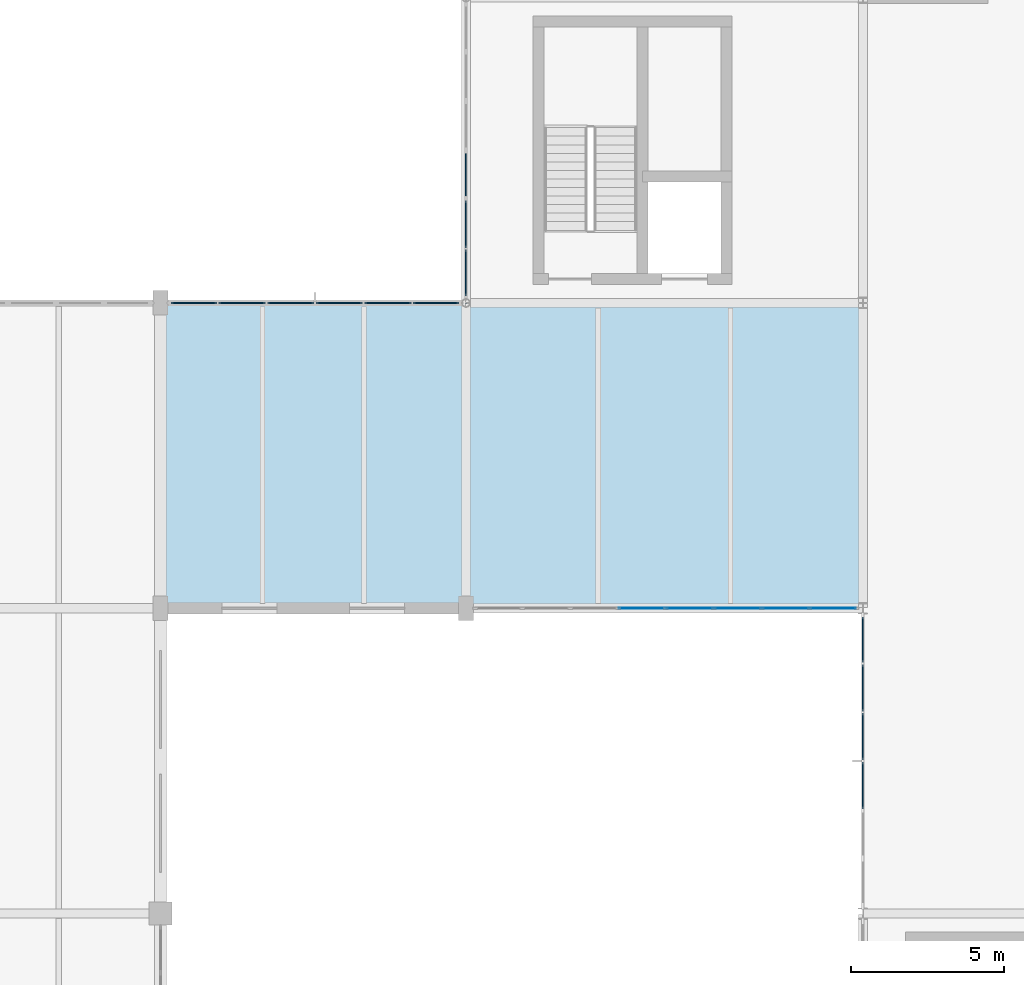
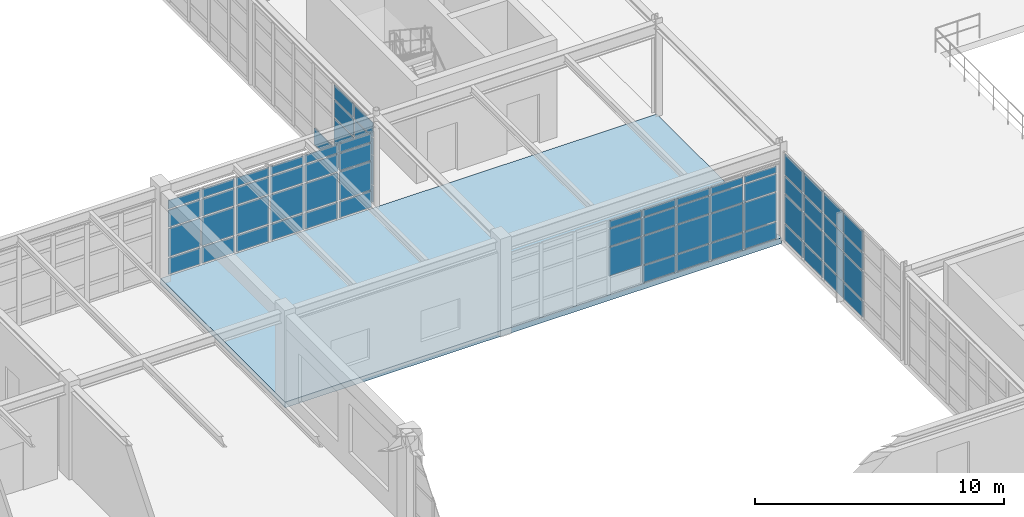
# One storey, part 90 of 139: 68 plates, 1 slab, 4 elements without a shape of their own.
"""IFC4 building model written with IfcOpenShell, lengths in metres."""

from ifc_helpers import new_model, si_unit, direction, frame, origin, origin_2d, place, context, subcontext, project, spatial, polyline, rectangle, outline, extrude, material, layer, layer_set, type_object, element, aggregate, save


model = new_model("IFC4")

# Units and contexts
model_context = context("Model", 3, precision=1e-05, world=origin(), true_north=direction((0.0, 1.0)))
body_context = subcontext(model_context, "Body", "Model", "MODEL_VIEW")
ifc_project = project(units=[si_unit("LENGTHUNIT", "METRE"), si_unit("AREAUNIT", "SQUARE_METRE"), si_unit("VOLUMEUNIT", "CUBIC_METRE"), si_unit("PLANEANGLEUNIT", "RADIAN"), si_unit("MASSUNIT", "GRAM", prefix="KILO"), si_unit("THERMODYNAMICTEMPERATUREUNIT", "KELVIN"), si_unit("POWERUNIT", "WATT")], contexts=[model_context])

# Site, building, storey
site_placement = place(None, origin())
site = spatial("IfcSite", under=ifc_project, at=site_placement, CompositionType="ELEMENT")
building_placement = place(site_placement, origin())
building = spatial("IfcBuilding", under=site, at=building_placement, Name="Korenveer Ferry Terminal", CompositionType="ELEMENT")
storey_placement = place(building_placement, frame((0.0, 0.0, 5.39990234375)))
storey = spatial("IfcBuildingStorey", under=building, at=storey_placement, Name="L01", CompositionType="ELEMENT", Elevation=5.39990234375)

# Curtain wall, plates
ifc_material_1 = material(Name="Unitised bronze-and-glass curtain wall", Category="glass")
ifc_layer_1 = layer(ifc_material_1, 0.159912109375)
ifc_layer_set_1 = layer_set([ifc_layer_1], Name="Unitised bronze-and-glass curtain wall")
curtain_wall_type_1 = type_object("IfcCurtainWallType", Name="ENV-CW-46", PredefinedType="USERDEFINED", material=ifc_layer_set_1)
curtain_wall_1_placement = place(storey_placement, frame((40.280029296875, 70.0, 0.0)))
curtain_wall_1 = element("IfcCurtainWall", 1, at=curtain_wall_1_placement, inside=storey, type_object=curtain_wall_type_1, Name="Lancet curtain wall CWX-L01-X40-53-Y70-70", ObjectType="UNITISED CURTAIN WALL", PredefinedType="USERDEFINED")
ifc_material_2 = material(Name="Low-iron solar-control double glazing", Category="glass")
ifc_layer_2 = layer(ifc_material_2, 0.028076171875)
ifc_layer_set_2 = layer_set([ifc_layer_2], Name="Low-iron solar-control double glazing")
plate_type_1 = type_object("IfcPlateType", Name="ENV-CWP-GLZ28", PredefinedType="CURTAIN_PANEL", material=ifc_layer_set_2)
plate_1_placement = place(storey_placement, frame((45.766357421875, 70.0, 0.93017578125), z_axis=(0.0, 0.0, 1.0), x_axis=(1.0, 0.0, 0.0)))
plate_1 = element("IfcPlate", 2, at=plate_1_placement, type_object=plate_type_1, Name="CW-46 panel 4.2", PredefinedType="CURTAIN_PANEL", context=body_context, shape_type="SweptSolid", body=[
    extrude(rectangle(XDim=1.507568359375, YDim=0.028076171875, at=origin_2d()), origin(), (0.0, 0.0, 1.0), 1.389892578125),
])
plate_2_placement = place(storey_placement, frame((45.766357421875, 70.0, 2.3798828125), z_axis=(0.0, 0.0, 1.0), x_axis=(1.0, 0.0, 0.0)))
plate_2 = element("IfcPlate", 3, at=plate_2_placement, type_object=plate_type_1, Name="CW-46 panel 4.3", PredefinedType="CURTAIN_PANEL", context=body_context, shape_type="SweptSolid", body=[
    extrude(rectangle(XDim=1.507568359375, YDim=0.028076171875, at=origin_2d()), origin(), (0.0, 0.0, 1.0), 0.840087890625),
])
plate_3_placement = place(storey_placement, frame((45.766357421875, 70.0, 3.280029296875), z_axis=(0.0, 0.0, 1.0), x_axis=(1.0, 0.0, 0.0)))
plate_3 = element("IfcPlate", 4, at=plate_3_placement, type_object=plate_type_1, Name="CW-46 panel 4.4", PredefinedType="CURTAIN_PANEL", context=body_context, shape_type="SweptSolid", body=[
    extrude(rectangle(XDim=1.507568359375, YDim=0.028076171875, at=origin_2d()), origin(), (0.0, 0.0, 1.0), 0.330078125),
])
plate_4_placement = place(storey_placement, frame((47.333740234375, 70.0, 0.06005859375), z_axis=(0.0, 0.0, 1.0), x_axis=(1.0, 0.0, 0.0)))
plate_4 = element("IfcPlate", 5, at=plate_4_placement, type_object=plate_type_1, Name="CW-46 panel 5.1", PredefinedType="CURTAIN_PANEL", context=body_context, shape_type="SweptSolid", body=[
    extrude(rectangle(XDim=1.507568359375, YDim=0.028076171875, at=origin_2d()), origin(), (0.0, 0.0, 1.0), 0.81005859375),
])
plate_5_placement = place(storey_placement, frame((47.333740234375, 70.0, 0.93017578125), z_axis=(0.0, 0.0, 1.0), x_axis=(1.0, 0.0, 0.0)))
plate_5 = element("IfcPlate", 6, at=plate_5_placement, type_object=plate_type_1, Name="CW-46 panel 5.2", PredefinedType="CURTAIN_PANEL", context=body_context, shape_type="SweptSolid", body=[
    extrude(rectangle(XDim=1.507568359375, YDim=0.028076171875, at=origin_2d()), origin(), (0.0, 0.0, 1.0), 1.389892578125),
])
plate_6_placement = place(storey_placement, frame((47.333740234375, 70.0, 2.3798828125), z_axis=(0.0, 0.0, 1.0), x_axis=(1.0, 0.0, 0.0)))
plate_6 = element("IfcPlate", 7, at=plate_6_placement, type_object=plate_type_1, Name="CW-46 panel 5.3", PredefinedType="CURTAIN_PANEL", context=body_context, shape_type="SweptSolid", body=[
    extrude(rectangle(XDim=1.507568359375, YDim=0.028076171875, at=origin_2d()), origin(), (0.0, 0.0, 1.0), 0.840087890625),
])
plate_7_placement = place(storey_placement, frame((47.333740234375, 70.0, 3.280029296875), z_axis=(0.0, 0.0, 1.0), x_axis=(1.0, 0.0, 0.0)))
plate_7 = element("IfcPlate", 8, at=plate_7_placement, type_object=plate_type_1, Name="CW-46 panel 5.4", PredefinedType="CURTAIN_PANEL", context=body_context, shape_type="SweptSolid", body=[
    extrude(rectangle(XDim=1.507568359375, YDim=0.028076171875, at=origin_2d()), origin(), (0.0, 0.0, 1.0), 0.330078125),
])
plate_8_placement = place(storey_placement, frame((48.9013671875, 70.0, 0.06005859375), z_axis=(0.0, 0.0, 1.0), x_axis=(1.0, 0.0, 0.0)))
plate_8 = element("IfcPlate", 9, at=plate_8_placement, type_object=plate_type_1, Name="CW-46 panel 6.1", PredefinedType="CURTAIN_PANEL", context=body_context, shape_type="SweptSolid", body=[
    extrude(rectangle(XDim=1.507568359375, YDim=0.028076171875, at=origin_2d()), origin(), (0.0, 0.0, 1.0), 0.81005859375),
])
plate_9_placement = place(storey_placement, frame((48.9013671875, 70.0, 0.93017578125), z_axis=(0.0, 0.0, 1.0), x_axis=(1.0, 0.0, 0.0)))
plate_9 = element("IfcPlate", 10, at=plate_9_placement, type_object=plate_type_1, Name="CW-46 panel 6.2", PredefinedType="CURTAIN_PANEL", context=body_context, shape_type="SweptSolid", body=[
    extrude(rectangle(XDim=1.507568359375, YDim=0.028076171875, at=origin_2d()), origin(), (0.0, 0.0, 1.0), 1.389892578125),
])
plate_10_placement = place(storey_placement, frame((48.9013671875, 70.0, 2.3798828125), z_axis=(0.0, 0.0, 1.0), x_axis=(1.0, 0.0, 0.0)))
plate_10 = element("IfcPlate", 11, at=plate_10_placement, type_object=plate_type_1, Name="CW-46 panel 6.3", PredefinedType="CURTAIN_PANEL", context=body_context, shape_type="SweptSolid", body=[
    extrude(rectangle(XDim=1.507568359375, YDim=0.028076171875, at=origin_2d()), origin(), (0.0, 0.0, 1.0), 0.840087890625),
])
plate_11_placement = place(storey_placement, frame((48.9013671875, 70.0, 3.280029296875), z_axis=(0.0, 0.0, 1.0), x_axis=(1.0, 0.0, 0.0)))
plate_11 = element("IfcPlate", 12, at=plate_11_placement, type_object=plate_type_1, Name="CW-46 panel 6.4", PredefinedType="CURTAIN_PANEL", context=body_context, shape_type="SweptSolid", body=[
    extrude(rectangle(XDim=1.507568359375, YDim=0.028076171875, at=origin_2d()), origin(), (0.0, 0.0, 1.0), 0.330078125),
])
plate_12_placement = place(storey_placement, frame((50.46875, 70.0, 0.06005859375), z_axis=(0.0, 0.0, 1.0), x_axis=(1.0, 0.0, 0.0)))
plate_12 = element("IfcPlate", 13, at=plate_12_placement, type_object=plate_type_1, Name="CW-46 panel 7.1", PredefinedType="CURTAIN_PANEL", context=body_context, shape_type="SweptSolid", body=[
    extrude(rectangle(XDim=1.507568359375, YDim=0.028076171875, at=origin_2d()), origin(), (0.0, 0.0, 1.0), 0.81005859375),
])
plate_13_placement = place(storey_placement, frame((50.46875, 70.0, 0.93017578125), z_axis=(0.0, 0.0, 1.0), x_axis=(1.0, 0.0, 0.0)))
plate_13 = element("IfcPlate", 14, at=plate_13_placement, type_object=plate_type_1, Name="CW-46 panel 7.2", PredefinedType="CURTAIN_PANEL", context=body_context, shape_type="SweptSolid", body=[
    extrude(rectangle(XDim=1.507568359375, YDim=0.028076171875, at=origin_2d()), origin(), (0.0, 0.0, 1.0), 1.389892578125),
])
plate_14_placement = place(storey_placement, frame((50.46875, 70.0, 2.3798828125), z_axis=(0.0, 0.0, 1.0), x_axis=(1.0, 0.0, 0.0)))
plate_14 = element("IfcPlate", 15, at=plate_14_placement, type_object=plate_type_1, Name="CW-46 panel 7.3", PredefinedType="CURTAIN_PANEL", context=body_context, shape_type="SweptSolid", body=[
    extrude(rectangle(XDim=1.507568359375, YDim=0.028076171875, at=origin_2d()), origin(), (0.0, 0.0, 1.0), 0.840087890625),
])
plate_15_placement = place(storey_placement, frame((50.46875, 70.0, 3.280029296875), z_axis=(0.0, 0.0, 1.0), x_axis=(1.0, 0.0, 0.0)))
plate_15 = element("IfcPlate", 16, at=plate_15_placement, type_object=plate_type_1, Name="CW-46 panel 7.4", PredefinedType="CURTAIN_PANEL", context=body_context, shape_type="SweptSolid", body=[
    extrude(rectangle(XDim=1.507568359375, YDim=0.028076171875, at=origin_2d()), origin(), (0.0, 0.0, 1.0), 0.330078125),
])
plate_16_placement = place(storey_placement, frame((52.021240234375, 70.0, 0.06005859375), z_axis=(0.0, 0.0, 1.0), x_axis=(1.0, 0.0, 0.0)))
plate_16 = element("IfcPlate", 17, at=plate_16_placement, type_object=plate_type_1, Name="CW-46 panel 8.1", PredefinedType="CURTAIN_PANEL", context=body_context, shape_type="SweptSolid", body=[
    extrude(rectangle(XDim=1.4775390625, YDim=0.028076171875, at=origin_2d()), origin(), (0.0, 0.0, 1.0), 0.81005859375),
])
plate_17_placement = place(storey_placement, frame((52.021240234375, 70.0, 0.93017578125), z_axis=(0.0, 0.0, 1.0), x_axis=(1.0, 0.0, 0.0)))
plate_17 = element("IfcPlate", 18, at=plate_17_placement, type_object=plate_type_1, Name="CW-46 panel 8.2", PredefinedType="CURTAIN_PANEL", context=body_context, shape_type="SweptSolid", body=[
    extrude(rectangle(XDim=1.4775390625, YDim=0.028076171875, at=origin_2d()), origin(), (0.0, 0.0, 1.0), 1.389892578125),
])
plate_18_placement = place(storey_placement, frame((52.021240234375, 70.0, 2.3798828125), z_axis=(0.0, 0.0, 1.0), x_axis=(1.0, 0.0, 0.0)))
plate_18 = element("IfcPlate", 19, at=plate_18_placement, type_object=plate_type_1, Name="CW-46 panel 8.3", PredefinedType="CURTAIN_PANEL", context=body_context, shape_type="SweptSolid", body=[
    extrude(rectangle(XDim=1.4775390625, YDim=0.028076171875, at=origin_2d()), origin(), (0.0, 0.0, 1.0), 0.840087890625),
])
plate_19_placement = place(storey_placement, frame((52.021240234375, 70.0, 3.280029296875), z_axis=(0.0, 0.0, 1.0), x_axis=(1.0, 0.0, 0.0)))
plate_19 = element("IfcPlate", 20, at=plate_19_placement, type_object=plate_type_1, Name="CW-46 panel 8.4", PredefinedType="CURTAIN_PANEL", context=body_context, shape_type="SweptSolid", body=[
    extrude(rectangle(XDim=1.4775390625, YDim=0.028076171875, at=origin_2d()), origin(), (0.0, 0.0, 1.0), 0.330078125),
])
aggregate(curtain_wall_1, [plate_1, plate_2, plate_3, plate_4, plate_5, plate_6, plate_7, plate_8, plate_9, plate_10, plate_11, plate_12, plate_13, plate_14, plate_15, plate_16, plate_17, plate_18, plate_19])

ifc_layer_3 = layer(ifc_material_1, 0.219970703125)
ifc_layer_set_3 = layer_set([ifc_layer_3], Name="Unitised bronze-and-glass curtain wall")
curtain_wall_type_2 = type_object("IfcCurtainWallType", Name="ENV-CW-51", PredefinedType="USERDEFINED", material=ifc_layer_set_3)
curtain_wall_2_placement = place(storey_placement, frame((30.280029296875, 80.0, 0.0)))
curtain_wall_2 = element("IfcCurtainWall", 21, at=curtain_wall_2_placement, inside=storey, type_object=curtain_wall_type_2, Name="Lancet curtain wall CWX-L01-X30-40-Y80-80", ObjectType="UNITISED CURTAIN WALL", PredefinedType="USERDEFINED")
ifc_material_3 = material(Name="Acoustic laminated marine glazing", Category="glass")
ifc_layer_4 = layer(ifc_material_3, 0.035888671875)
ifc_layer_set_4 = layer_set([ifc_layer_4], Name="Acoustic laminated marine glazing")
plate_type_2 = type_object("IfcPlateType", Name="ENV-CWP-GLZ36", PredefinedType="CURTAIN_PANEL", material=ifc_layer_set_4)
plate_20_placement = place(storey_placement, frame((31.094970703125, 80.0, 0.074951171875), z_axis=(0.0, 0.0, 1.0), x_axis=(1.0, 0.0, 0.0)))
plate_20 = element("IfcPlate", 22, at=plate_20_placement, type_object=plate_type_2, Name="CW-51 panel 1.1", PredefinedType="CURTAIN_PANEL", context=body_context, shape_type="SweptSolid", body=[
    extrude(rectangle(XDim=1.479736328125, YDim=0.035888671875, at=origin_2d()), origin(), (0.0, 0.0, 1.0), 0.78759765625),
])
plate_21_placement = place(storey_placement, frame((31.094970703125, 80.0, 0.9375), z_axis=(0.0, 0.0, 1.0), x_axis=(1.0, 0.0, 0.0)))
plate_21 = element("IfcPlate", 23, at=plate_21_placement, type_object=plate_type_2, Name="CW-51 panel 1.2", PredefinedType="CURTAIN_PANEL", context=body_context, shape_type="SweptSolid", body=[
    extrude(rectangle(XDim=1.479736328125, YDim=0.035888671875, at=origin_2d()), origin(), (0.0, 0.0, 1.0), 1.375),
])
plate_22_placement = place(storey_placement, frame((31.094970703125, 80.0, 2.3876953125), z_axis=(0.0, 0.0, 1.0), x_axis=(1.0, 0.0, 0.0)))
plate_22 = element("IfcPlate", 24, at=plate_22_placement, type_object=plate_type_2, Name="CW-51 panel 1.3", PredefinedType="CURTAIN_PANEL", context=body_context, shape_type="SweptSolid", body=[
    extrude(rectangle(XDim=1.479736328125, YDim=0.035888671875, at=origin_2d()), origin(), (0.0, 0.0, 1.0), 0.824951171875),
])
plate_23_placement = place(storey_placement, frame((31.094970703125, 80.0, 3.28759765625), z_axis=(0.0, 0.0, 1.0), x_axis=(1.0, 0.0, 0.0)))
plate_23 = element("IfcPlate", 25, at=plate_23_placement, type_object=plate_type_2, Name="CW-51 panel 1.4", PredefinedType="CURTAIN_PANEL", context=body_context, shape_type="SweptSolid", body=[
    extrude(rectangle(XDim=1.479736328125, YDim=0.035888671875, at=origin_2d()), origin(), (0.0, 0.0, 1.0), 0.407470703125),
])
plate_24_placement = place(storey_placement, frame((32.66845703125, 80.0, 0.074951171875), z_axis=(0.0, 0.0, 1.0), x_axis=(1.0, 0.0, 0.0)))
plate_24 = element("IfcPlate", 26, at=plate_24_placement, type_object=plate_type_2, Name="CW-51 panel 2.1", PredefinedType="CURTAIN_PANEL", context=body_context, shape_type="SweptSolid", body=[
    extrude(rectangle(XDim=1.517333984375, YDim=0.035888671875, at=origin_2d()), origin(), (0.0, 0.0, 1.0), 0.78759765625),
])
plate_25_placement = place(storey_placement, frame((32.66845703125, 80.0, 0.9375), z_axis=(0.0, 0.0, 1.0), x_axis=(1.0, 0.0, 0.0)))
plate_25 = element("IfcPlate", 27, at=plate_25_placement, type_object=plate_type_2, Name="CW-51 panel 2.2", PredefinedType="CURTAIN_PANEL", context=body_context, shape_type="SweptSolid", body=[
    extrude(rectangle(XDim=1.517333984375, YDim=0.035888671875, at=origin_2d()), origin(), (0.0, 0.0, 1.0), 1.375),
])
plate_26_placement = place(storey_placement, frame((32.66845703125, 80.0, 2.3876953125), z_axis=(0.0, 0.0, 1.0), x_axis=(1.0, 0.0, 0.0)))
plate_26 = element("IfcPlate", 28, at=plate_26_placement, type_object=plate_type_2, Name="CW-51 panel 2.3", PredefinedType="CURTAIN_PANEL", context=body_context, shape_type="SweptSolid", body=[
    extrude(rectangle(XDim=1.517333984375, YDim=0.035888671875, at=origin_2d()), origin(), (0.0, 0.0, 1.0), 0.824951171875),
])
plate_27_placement = place(storey_placement, frame((32.66845703125, 80.0, 3.28759765625), z_axis=(0.0, 0.0, 1.0), x_axis=(1.0, 0.0, 0.0)))
plate_27 = element("IfcPlate", 29, at=plate_27_placement, type_object=plate_type_2, Name="CW-51 panel 2.4", PredefinedType="CURTAIN_PANEL", context=body_context, shape_type="SweptSolid", body=[
    extrude(rectangle(XDim=1.517333984375, YDim=0.035888671875, at=origin_2d()), origin(), (0.0, 0.0, 1.0), 0.407470703125),
])
plate_28_placement = place(storey_placement, frame((34.2607421875, 80.0, 0.074951171875), z_axis=(0.0, 0.0, 1.0), x_axis=(1.0, 0.0, 0.0)))
plate_28 = element("IfcPlate", 30, at=plate_28_placement, type_object=plate_type_2, Name="CW-51 panel 3.1", PredefinedType="CURTAIN_PANEL", context=body_context, shape_type="SweptSolid", body=[
    extrude(rectangle(XDim=1.517333984375, YDim=0.035888671875, at=origin_2d()), origin(), (0.0, 0.0, 1.0), 0.78759765625),
])
plate_29_placement = place(storey_placement, frame((34.2607421875, 80.0, 0.9375), z_axis=(0.0, 0.0, 1.0), x_axis=(1.0, 0.0, 0.0)))
plate_29 = element("IfcPlate", 31, at=plate_29_placement, type_object=plate_type_2, Name="CW-51 panel 3.2", PredefinedType="CURTAIN_PANEL", context=body_context, shape_type="SweptSolid", body=[
    extrude(rectangle(XDim=1.517333984375, YDim=0.035888671875, at=origin_2d()), origin(), (0.0, 0.0, 1.0), 1.375),
])
plate_30_placement = place(storey_placement, frame((34.2607421875, 80.0, 2.3876953125), z_axis=(0.0, 0.0, 1.0), x_axis=(1.0, 0.0, 0.0)))
plate_30 = element("IfcPlate", 32, at=plate_30_placement, type_object=plate_type_2, Name="CW-51 panel 3.3", PredefinedType="CURTAIN_PANEL", context=body_context, shape_type="SweptSolid", body=[
    extrude(rectangle(XDim=1.517333984375, YDim=0.035888671875, at=origin_2d()), origin(), (0.0, 0.0, 1.0), 0.824951171875),
])
plate_31_placement = place(storey_placement, frame((34.2607421875, 80.0, 3.28759765625), z_axis=(0.0, 0.0, 1.0), x_axis=(1.0, 0.0, 0.0)))
plate_31 = element("IfcPlate", 33, at=plate_31_placement, type_object=plate_type_2, Name="CW-51 panel 3.4", PredefinedType="CURTAIN_PANEL", context=body_context, shape_type="SweptSolid", body=[
    extrude(rectangle(XDim=1.517333984375, YDim=0.035888671875, at=origin_2d()), origin(), (0.0, 0.0, 1.0), 0.407470703125),
])
plate_32_placement = place(storey_placement, frame((35.852783203125, 80.0, 0.074951171875), z_axis=(0.0, 0.0, 1.0), x_axis=(1.0, 0.0, 0.0)))
plate_32 = element("IfcPlate", 34, at=plate_32_placement, type_object=plate_type_2, Name="CW-51 panel 4.1", PredefinedType="CURTAIN_PANEL", context=body_context, shape_type="SweptSolid", body=[
    extrude(rectangle(XDim=1.517333984375, YDim=0.035888671875, at=origin_2d()), origin(), (0.0, 0.0, 1.0), 0.78759765625),
])
plate_33_placement = place(storey_placement, frame((35.852783203125, 80.0, 0.9375), z_axis=(0.0, 0.0, 1.0), x_axis=(1.0, 0.0, 0.0)))
plate_33 = element("IfcPlate", 35, at=plate_33_placement, type_object=plate_type_2, Name="CW-51 panel 4.2", PredefinedType="CURTAIN_PANEL", context=body_context, shape_type="SweptSolid", body=[
    extrude(rectangle(XDim=1.517333984375, YDim=0.035888671875, at=origin_2d()), origin(), (0.0, 0.0, 1.0), 1.375),
])
plate_34_placement = place(storey_placement, frame((35.852783203125, 80.0, 2.3876953125), z_axis=(0.0, 0.0, 1.0), x_axis=(1.0, 0.0, 0.0)))
plate_34 = element("IfcPlate", 36, at=plate_34_placement, type_object=plate_type_2, Name="CW-51 panel 4.3", PredefinedType="CURTAIN_PANEL", context=body_context, shape_type="SweptSolid", body=[
    extrude(rectangle(XDim=1.517333984375, YDim=0.035888671875, at=origin_2d()), origin(), (0.0, 0.0, 1.0), 0.824951171875),
])
plate_35_placement = place(storey_placement, frame((35.852783203125, 80.0, 3.28759765625), z_axis=(0.0, 0.0, 1.0), x_axis=(1.0, 0.0, 0.0)))
plate_35 = element("IfcPlate", 37, at=plate_35_placement, type_object=plate_type_2, Name="CW-51 panel 4.4", PredefinedType="CURTAIN_PANEL", context=body_context, shape_type="SweptSolid", body=[
    extrude(rectangle(XDim=1.517333984375, YDim=0.035888671875, at=origin_2d()), origin(), (0.0, 0.0, 1.0), 0.407470703125),
])
plate_36_placement = place(storey_placement, frame((37.445068359375, 80.0, 0.074951171875), z_axis=(0.0, 0.0, 1.0), x_axis=(1.0, 0.0, 0.0)))
plate_36 = element("IfcPlate", 38, at=plate_36_placement, type_object=plate_type_2, Name="CW-51 panel 5.1", PredefinedType="CURTAIN_PANEL", context=body_context, shape_type="SweptSolid", body=[
    extrude(rectangle(XDim=1.517333984375, YDim=0.035888671875, at=origin_2d()), origin(), (0.0, 0.0, 1.0), 0.78759765625),
])
plate_37_placement = place(storey_placement, frame((37.445068359375, 80.0, 0.9375), z_axis=(0.0, 0.0, 1.0), x_axis=(1.0, 0.0, 0.0)))
plate_37 = element("IfcPlate", 39, at=plate_37_placement, type_object=plate_type_2, Name="CW-51 panel 5.2", PredefinedType="CURTAIN_PANEL", context=body_context, shape_type="SweptSolid", body=[
    extrude(rectangle(XDim=1.517333984375, YDim=0.035888671875, at=origin_2d()), origin(), (0.0, 0.0, 1.0), 1.375),
])
plate_38_placement = place(storey_placement, frame((37.445068359375, 80.0, 2.3876953125), z_axis=(0.0, 0.0, 1.0), x_axis=(1.0, 0.0, 0.0)))
plate_38 = element("IfcPlate", 40, at=plate_38_placement, type_object=plate_type_2, Name="CW-51 panel 5.3", PredefinedType="CURTAIN_PANEL", context=body_context, shape_type="SweptSolid", body=[
    extrude(rectangle(XDim=1.517333984375, YDim=0.035888671875, at=origin_2d()), origin(), (0.0, 0.0, 1.0), 0.824951171875),
])
plate_39_placement = place(storey_placement, frame((37.445068359375, 80.0, 3.28759765625), z_axis=(0.0, 0.0, 1.0), x_axis=(1.0, 0.0, 0.0)))
plate_39 = element("IfcPlate", 41, at=plate_39_placement, type_object=plate_type_2, Name="CW-51 panel 5.4", PredefinedType="CURTAIN_PANEL", context=body_context, shape_type="SweptSolid", body=[
    extrude(rectangle(XDim=1.517333984375, YDim=0.035888671875, at=origin_2d()), origin(), (0.0, 0.0, 1.0), 0.407470703125),
])
plate_40_placement = place(storey_placement, frame((39.0185546875, 80.0, 0.074951171875), z_axis=(0.0, 0.0, 1.0), x_axis=(1.0, 0.0, 0.0)))
plate_40 = element("IfcPlate", 42, at=plate_40_placement, type_object=plate_type_2, Name="CW-51 panel 6.1", PredefinedType="CURTAIN_PANEL", context=body_context, shape_type="SweptSolid", body=[
    extrude(rectangle(XDim=1.479736328125, YDim=0.035888671875, at=origin_2d()), origin(), (0.0, 0.0, 1.0), 0.78759765625),
])
plate_41_placement = place(storey_placement, frame((39.0185546875, 80.0, 0.9375), z_axis=(0.0, 0.0, 1.0), x_axis=(1.0, 0.0, 0.0)))
plate_41 = element("IfcPlate", 43, at=plate_41_placement, type_object=plate_type_2, Name="CW-51 panel 6.2", PredefinedType="CURTAIN_PANEL", context=body_context, shape_type="SweptSolid", body=[
    extrude(rectangle(XDim=1.479736328125, YDim=0.035888671875, at=origin_2d()), origin(), (0.0, 0.0, 1.0), 1.375),
])
plate_42_placement = place(storey_placement, frame((39.0185546875, 80.0, 2.3876953125), z_axis=(0.0, 0.0, 1.0), x_axis=(1.0, 0.0, 0.0)))
plate_42 = element("IfcPlate", 44, at=plate_42_placement, type_object=plate_type_2, Name="CW-51 panel 6.3", PredefinedType="CURTAIN_PANEL", context=body_context, shape_type="SweptSolid", body=[
    extrude(rectangle(XDim=1.479736328125, YDim=0.035888671875, at=origin_2d()), origin(), (0.0, 0.0, 1.0), 0.824951171875),
])
plate_43_placement = place(storey_placement, frame((39.0185546875, 80.0, 3.28759765625), z_axis=(0.0, 0.0, 1.0), x_axis=(1.0, 0.0, 0.0)))
plate_43 = element("IfcPlate", 45, at=plate_43_placement, type_object=plate_type_2, Name="CW-51 panel 6.4", PredefinedType="CURTAIN_PANEL", context=body_context, shape_type="SweptSolid", body=[
    extrude(rectangle(XDim=1.479736328125, YDim=0.035888671875, at=origin_2d()), origin(), (0.0, 0.0, 1.0), 0.407470703125),
])
aggregate(curtain_wall_2, [plate_20, plate_21, plate_22, plate_23, plate_24, plate_25, plate_26, plate_27, plate_28, plate_29, plate_30, plate_31, plate_32, plate_33, plate_34, plate_35, plate_36, plate_37, plate_38, plate_39, plate_40, plate_41, plate_42, plate_43])

ifc_layer_5 = layer(ifc_material_1, 0.219970703125)
ifc_layer_set_5 = layer_set([ifc_layer_5], Name="Unitised bronze-and-glass curtain wall")
curtain_wall_type_3 = type_object("IfcCurtainWallType", Name="ENV-CW-64", PredefinedType="USERDEFINED", material=ifc_layer_set_5)
curtain_wall_3_placement = place(storey_placement, frame((40.0, 80.16650390625, 0.0)))
curtain_wall_3 = element("IfcCurtainWall", 46, at=curtain_wall_3_placement, inside=storey, type_object=curtain_wall_type_3, Name="Lancet curtain wall CWX-L01-X40-40-Y80-90", ObjectType="UNITISED CURTAIN WALL", PredefinedType="USERDEFINED")
plate_44_placement = place(storey_placement, frame((40.0, 80.99072265625, 0.074951171875), z_axis=(0.0, 0.0, 1.0), x_axis=(0.0, 1.0, 0.0)))
plate_44 = element("IfcPlate", 47, at=plate_44_placement, type_object=plate_type_2, Name="CW-64 panel 1.1", PredefinedType="CURTAIN_PANEL", context=body_context, shape_type="SweptSolid", body=[
    extrude(rectangle(XDim=1.498779296875, YDim=0.035888671875, at=origin_2d()), origin(), (0.0, 0.0, 1.0), 0.78759765625),
])
plate_45_placement = place(storey_placement, frame((40.0, 80.99072265625, 0.9375), z_axis=(0.0, 0.0, 1.0), x_axis=(0.0, 1.0, 0.0)))
plate_45 = element("IfcPlate", 48, at=plate_45_placement, type_object=plate_type_2, Name="CW-64 panel 1.2", PredefinedType="CURTAIN_PANEL", context=body_context, shape_type="SweptSolid", body=[
    extrude(rectangle(XDim=1.498779296875, YDim=0.035888671875, at=origin_2d()), origin(), (0.0, 0.0, 1.0), 1.375),
])
plate_46_placement = place(storey_placement, frame((40.0, 80.99072265625, 2.3876953125), z_axis=(0.0, 0.0, 1.0), x_axis=(0.0, 1.0, 0.0)))
plate_46 = element("IfcPlate", 49, at=plate_46_placement, type_object=plate_type_2, Name="CW-64 panel 1.3", PredefinedType="CURTAIN_PANEL", context=body_context, shape_type="SweptSolid", body=[
    extrude(rectangle(XDim=1.498779296875, YDim=0.035888671875, at=origin_2d()), origin(), (0.0, 0.0, 1.0), 0.824951171875),
])
plate_47_placement = place(storey_placement, frame((40.0, 80.99072265625, 3.28759765625), z_axis=(0.0, 0.0, 1.0), x_axis=(0.0, 1.0, 0.0)))
plate_47 = element("IfcPlate", 50, at=plate_47_placement, type_object=plate_type_2, Name="CW-64 panel 1.4", PredefinedType="CURTAIN_PANEL", context=body_context, shape_type="SweptSolid", body=[
    extrude(rectangle(XDim=1.498779296875, YDim=0.035888671875, at=origin_2d()), origin(), (0.0, 0.0, 1.0), 0.66748046875),
])
plate_48_placement = place(storey_placement, frame((40.0, 82.583251953125, 0.074951171875), z_axis=(0.0, 0.0, 1.0), x_axis=(0.0, 1.0, 0.0)))
plate_48 = element("IfcPlate", 51, at=plate_48_placement, type_object=plate_type_2, Name="CW-64 panel 2.1", PredefinedType="CURTAIN_PANEL", context=body_context, shape_type="SweptSolid", body=[
    extrude(rectangle(XDim=1.5361328125, YDim=0.035888671875, at=origin_2d()), origin(), (0.0, 0.0, 1.0), 0.78759765625),
])
plate_49_placement = place(storey_placement, frame((40.0, 82.583251953125, 0.9375), z_axis=(0.0, 0.0, 1.0), x_axis=(0.0, 1.0, 0.0)))
plate_49 = element("IfcPlate", 52, at=plate_49_placement, type_object=plate_type_2, Name="CW-64 panel 2.2", PredefinedType="CURTAIN_PANEL", context=body_context, shape_type="SweptSolid", body=[
    extrude(rectangle(XDim=1.5361328125, YDim=0.035888671875, at=origin_2d()), origin(), (0.0, 0.0, 1.0), 1.375),
])
plate_50_placement = place(storey_placement, frame((40.0, 82.583251953125, 2.3876953125), z_axis=(0.0, 0.0, 1.0), x_axis=(0.0, 1.0, 0.0)))
plate_50 = element("IfcPlate", 53, at=plate_50_placement, type_object=plate_type_2, Name="CW-64 panel 2.3", PredefinedType="CURTAIN_PANEL", context=body_context, shape_type="SweptSolid", body=[
    extrude(rectangle(XDim=1.5361328125, YDim=0.035888671875, at=origin_2d()), origin(), (0.0, 0.0, 1.0), 0.824951171875),
])
plate_51_placement = place(storey_placement, frame((40.0, 82.583251953125, 3.28759765625), z_axis=(0.0, 0.0, 1.0), x_axis=(0.0, 1.0, 0.0)))
plate_51 = element("IfcPlate", 54, at=plate_51_placement, type_object=plate_type_2, Name="CW-64 panel 2.4", PredefinedType="CURTAIN_PANEL", context=body_context, shape_type="SweptSolid", body=[
    extrude(rectangle(XDim=1.5361328125, YDim=0.035888671875, at=origin_2d()), origin(), (0.0, 0.0, 1.0), 0.66748046875),
])
plate_52_placement = place(storey_placement, frame((40.0, 84.1943359375, 0.074951171875), z_axis=(0.0, 0.0, 1.0), x_axis=(0.0, 1.0, 0.0)))
plate_52 = element("IfcPlate", 55, at=plate_52_placement, type_object=plate_type_2, Name="CW-64 panel 3.1", PredefinedType="CURTAIN_PANEL", context=body_context, shape_type="SweptSolid", body=[
    extrude(rectangle(XDim=1.5361328125, YDim=0.035888671875, at=origin_2d()), origin(), (0.0, 0.0, 1.0), 0.78759765625),
])
aggregate(curtain_wall_3, [plate_44, plate_45, plate_46, plate_47, plate_48, plate_49, plate_50, plate_51, plate_52])

ifc_layer_6 = layer(ifc_material_1, 0.219970703125)
ifc_layer_set_6 = layer_set([ifc_layer_6], Name="Unitised bronze-and-glass curtain wall")
curtain_wall_type_4 = type_object("IfcCurtainWallType", Name="ENV-CW-69", PredefinedType="USERDEFINED", material=ifc_layer_set_6)
curtain_wall_4_placement = place(storey_placement, frame((53.0, 60.2099609375, 0.0)))
curtain_wall_4 = element("IfcCurtainWall", 56, at=curtain_wall_4_placement, inside=storey, type_object=curtain_wall_type_4, Name="Lancet curtain wall CWX-L01-X53-53-Y60-70", ObjectType="UNITISED CURTAIN WALL", PredefinedType="USERDEFINED")
plate_53_placement = place(storey_placement, frame((53.0, 64.20166015625, 0.074951171875), z_axis=(0.0, 0.0, 1.0), x_axis=(0.0, 1.0, 0.0)))
plate_53 = element("IfcPlate", 57, at=plate_53_placement, type_object=plate_type_2, Name="CW-69 panel 3.1", PredefinedType="CURTAIN_PANEL", context=body_context, shape_type="SweptSolid", body=[
    extrude(rectangle(XDim=1.521728515625, YDim=0.035888671875, at=origin_2d()), origin(), (0.0, 0.0, 1.0), 0.78759765625),
])
plate_54_placement = place(storey_placement, frame((53.0, 64.20166015625, 0.9375), z_axis=(0.0, 0.0, 1.0), x_axis=(0.0, 1.0, 0.0)))
plate_54 = element("IfcPlate", 58, at=plate_54_placement, type_object=plate_type_2, Name="CW-69 panel 3.2", PredefinedType="CURTAIN_PANEL", context=body_context, shape_type="SweptSolid", body=[
    extrude(rectangle(XDim=1.521728515625, YDim=0.035888671875, at=origin_2d()), origin(), (0.0, 0.0, 1.0), 1.375),
])
plate_55_placement = place(storey_placement, frame((53.0, 64.20166015625, 2.3876953125), z_axis=(0.0, 0.0, 1.0), x_axis=(0.0, 1.0, 0.0)))
plate_55 = element("IfcPlate", 59, at=plate_55_placement, type_object=plate_type_2, Name="CW-69 panel 3.3", PredefinedType="CURTAIN_PANEL", context=body_context, shape_type="SweptSolid", body=[
    extrude(rectangle(XDim=1.521728515625, YDim=0.035888671875, at=origin_2d()), origin(), (0.0, 0.0, 1.0), 0.824951171875),
])
plate_56_placement = place(storey_placement, frame((53.0, 64.20166015625, 3.28759765625), z_axis=(0.0, 0.0, 1.0), x_axis=(0.0, 1.0, 0.0)))
plate_56 = element("IfcPlate", 60, at=plate_56_placement, type_object=plate_type_2, Name="CW-69 panel 3.4", PredefinedType="CURTAIN_PANEL", context=body_context, shape_type="SweptSolid", body=[
    extrude(rectangle(XDim=1.521728515625, YDim=0.035888671875, at=origin_2d()), origin(), (0.0, 0.0, 1.0), 0.99755859375),
])
plate_57_placement = place(storey_placement, frame((53.0, 65.79833984375, 0.074951171875), z_axis=(0.0, 0.0, 1.0), x_axis=(0.0, 1.0, 0.0)))
plate_57 = element("IfcPlate", 61, at=plate_57_placement, type_object=plate_type_2, Name="CW-69 panel 4.1", PredefinedType="CURTAIN_PANEL", context=body_context, shape_type="SweptSolid", body=[
    extrude(rectangle(XDim=1.521728515625, YDim=0.035888671875, at=origin_2d()), origin(), (0.0, 0.0, 1.0), 0.78759765625),
])
plate_58_placement = place(storey_placement, frame((53.0, 65.79833984375, 0.9375), z_axis=(0.0, 0.0, 1.0), x_axis=(0.0, 1.0, 0.0)))
plate_58 = element("IfcPlate", 62, at=plate_58_placement, type_object=plate_type_2, Name="CW-69 panel 4.2", PredefinedType="CURTAIN_PANEL", context=body_context, shape_type="SweptSolid", body=[
    extrude(rectangle(XDim=1.521728515625, YDim=0.035888671875, at=origin_2d()), origin(), (0.0, 0.0, 1.0), 1.375),
])
plate_59_placement = place(storey_placement, frame((53.0, 65.79833984375, 2.3876953125), z_axis=(0.0, 0.0, 1.0), x_axis=(0.0, 1.0, 0.0)))
plate_59 = element("IfcPlate", 63, at=plate_59_placement, type_object=plate_type_2, Name="CW-69 panel 4.3", PredefinedType="CURTAIN_PANEL", context=body_context, shape_type="SweptSolid", body=[
    extrude(rectangle(XDim=1.521728515625, YDim=0.035888671875, at=origin_2d()), origin(), (0.0, 0.0, 1.0), 0.824951171875),
])
plate_60_placement = place(storey_placement, frame((53.0, 65.79833984375, 3.28759765625), z_axis=(0.0, 0.0, 1.0), x_axis=(0.0, 1.0, 0.0)))
plate_60 = element("IfcPlate", 64, at=plate_60_placement, type_object=plate_type_2, Name="CW-69 panel 4.4", PredefinedType="CURTAIN_PANEL", context=body_context, shape_type="SweptSolid", body=[
    extrude(rectangle(XDim=1.521728515625, YDim=0.035888671875, at=origin_2d()), origin(), (0.0, 0.0, 1.0), 0.99755859375),
])
plate_61_placement = place(storey_placement, frame((53.0, 67.39501953125, 0.074951171875), z_axis=(0.0, 0.0, 1.0), x_axis=(0.0, 1.0, 0.0)))
plate_61 = element("IfcPlate", 65, at=plate_61_placement, type_object=plate_type_2, Name="CW-69 panel 5.1", PredefinedType="CURTAIN_PANEL", context=body_context, shape_type="SweptSolid", body=[
    extrude(rectangle(XDim=1.521728515625, YDim=0.035888671875, at=origin_2d()), origin(), (0.0, 0.0, 1.0), 0.78759765625),
])
plate_62_placement = place(storey_placement, frame((53.0, 67.39501953125, 0.9375), z_axis=(0.0, 0.0, 1.0), x_axis=(0.0, 1.0, 0.0)))
plate_62 = element("IfcPlate", 66, at=plate_62_placement, type_object=plate_type_2, Name="CW-69 panel 5.2", PredefinedType="CURTAIN_PANEL", context=body_context, shape_type="SweptSolid", body=[
    extrude(rectangle(XDim=1.521728515625, YDim=0.035888671875, at=origin_2d()), origin(), (0.0, 0.0, 1.0), 1.375),
])
plate_63_placement = place(storey_placement, frame((53.0, 67.39501953125, 2.3876953125), z_axis=(0.0, 0.0, 1.0), x_axis=(0.0, 1.0, 0.0)))
plate_63 = element("IfcPlate", 67, at=plate_63_placement, type_object=plate_type_2, Name="CW-69 panel 5.3", PredefinedType="CURTAIN_PANEL", context=body_context, shape_type="SweptSolid", body=[
    extrude(rectangle(XDim=1.521728515625, YDim=0.035888671875, at=origin_2d()), origin(), (0.0, 0.0, 1.0), 0.824951171875),
])
plate_64_placement = place(storey_placement, frame((53.0, 67.39501953125, 3.28759765625), z_axis=(0.0, 0.0, 1.0), x_axis=(0.0, 1.0, 0.0)))
plate_64 = element("IfcPlate", 68, at=plate_64_placement, type_object=plate_type_2, Name="CW-69 panel 5.4", PredefinedType="CURTAIN_PANEL", context=body_context, shape_type="SweptSolid", body=[
    extrude(rectangle(XDim=1.521728515625, YDim=0.035888671875, at=origin_2d()), origin(), (0.0, 0.0, 1.0), 0.99755859375),
])
plate_65_placement = place(storey_placement, frame((53.0, 68.972900390625, 0.074951171875), z_axis=(0.0, 0.0, 1.0), x_axis=(0.0, 1.0, 0.0)))
plate_65 = element("IfcPlate", 69, at=plate_65_placement, type_object=plate_type_2, Name="CW-69 panel 6.1", PredefinedType="CURTAIN_PANEL", context=body_context, shape_type="SweptSolid", body=[
    extrude(rectangle(XDim=1.484130859375, YDim=0.035888671875, at=origin_2d()), origin(), (0.0, 0.0, 1.0), 0.78759765625),
])
plate_66_placement = place(storey_placement, frame((53.0, 68.972900390625, 0.9375), z_axis=(0.0, 0.0, 1.0), x_axis=(0.0, 1.0, 0.0)))
plate_66 = element("IfcPlate", 70, at=plate_66_placement, type_object=plate_type_2, Name="CW-69 panel 6.2", PredefinedType="CURTAIN_PANEL", context=body_context, shape_type="SweptSolid", body=[
    extrude(rectangle(XDim=1.484130859375, YDim=0.035888671875, at=origin_2d()), origin(), (0.0, 0.0, 1.0), 1.375),
])
plate_67_placement = place(storey_placement, frame((53.0, 68.972900390625, 2.3876953125), z_axis=(0.0, 0.0, 1.0), x_axis=(0.0, 1.0, 0.0)))
plate_67 = element("IfcPlate", 71, at=plate_67_placement, type_object=plate_type_2, Name="CW-69 panel 6.3", PredefinedType="CURTAIN_PANEL", context=body_context, shape_type="SweptSolid", body=[
    extrude(rectangle(XDim=1.484130859375, YDim=0.035888671875, at=origin_2d()), origin(), (0.0, 0.0, 1.0), 0.824951171875),
])
plate_68_placement = place(storey_placement, frame((53.0, 68.972900390625, 3.28759765625), z_axis=(0.0, 0.0, 1.0), x_axis=(0.0, 1.0, 0.0)))
plate_68 = element("IfcPlate", 72, at=plate_68_placement, type_object=plate_type_2, Name="CW-69 panel 6.4", PredefinedType="CURTAIN_PANEL", context=body_context, shape_type="SweptSolid", body=[
    extrude(rectangle(XDim=1.484130859375, YDim=0.035888671875, at=origin_2d()), origin(), (0.0, 0.0, 1.0), 0.99755859375),
])
aggregate(curtain_wall_4, [plate_53, plate_54, plate_55, plate_56, plate_57, plate_58, plate_59, plate_60, plate_61, plate_62, plate_63, plate_64, plate_65, plate_66, plate_67, plate_68])

# Slab
ifc_material_4 = material(Name="Concrete C35/45", Category="concrete")
ifc_layer_7 = layer(ifc_material_4, 0.280029296875)
ifc_layer_set_7 = layer_set([ifc_layer_7], Name="Concrete C35/45")
slab_type = type_object("IfcSlabType", Name="STR-SL-FLR280", PredefinedType="FLOOR", material=ifc_layer_set_7)
slab_placement = place(storey_placement, frame((0.0, 0.0, -0.27978515625)))
element("IfcSlab", 73, at=slab_placement, inside=storey, type_object=slab_type, Name="Floor slab SL-L01-PW1", PredefinedType="FLOOR", context=body_context, shape_type="SweptSolid", body=[
    extrude(outline(polyline([(30.0, 70.0), (53.0, 70.0), (53.0, 80.0), (30.0, 80.0), (30.0, 70.0)])), origin(), (0.0, 0.0, 1.0), 0.27978515625),
])

save(model, "model.ifc")
